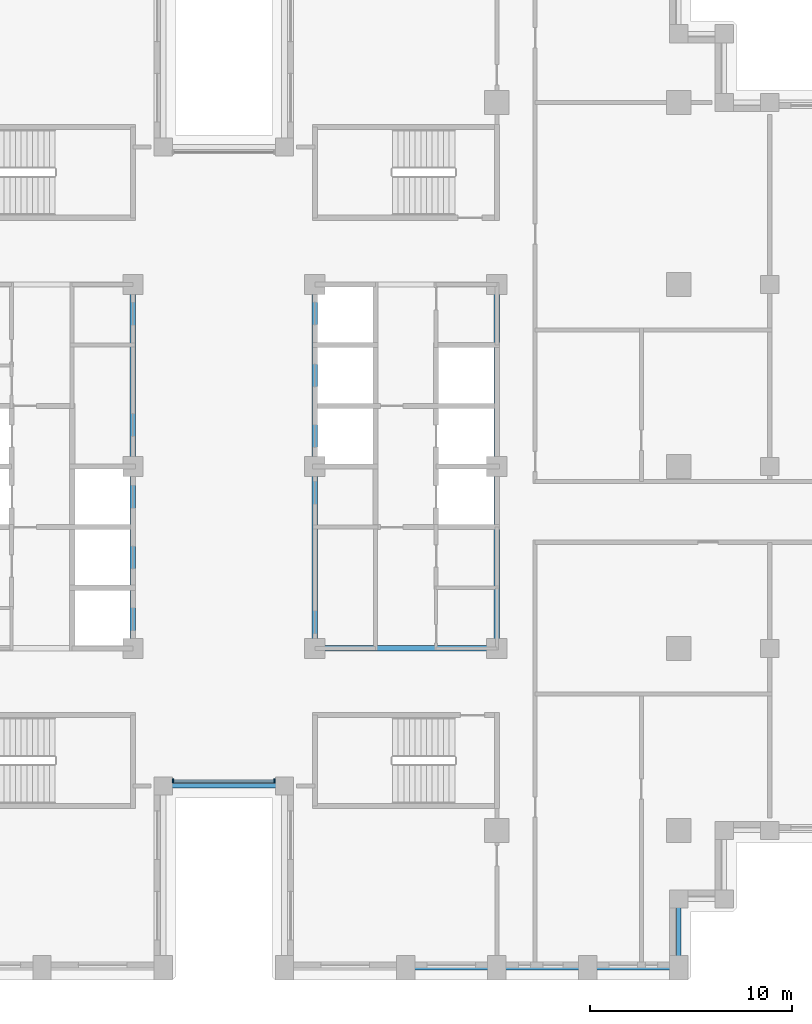
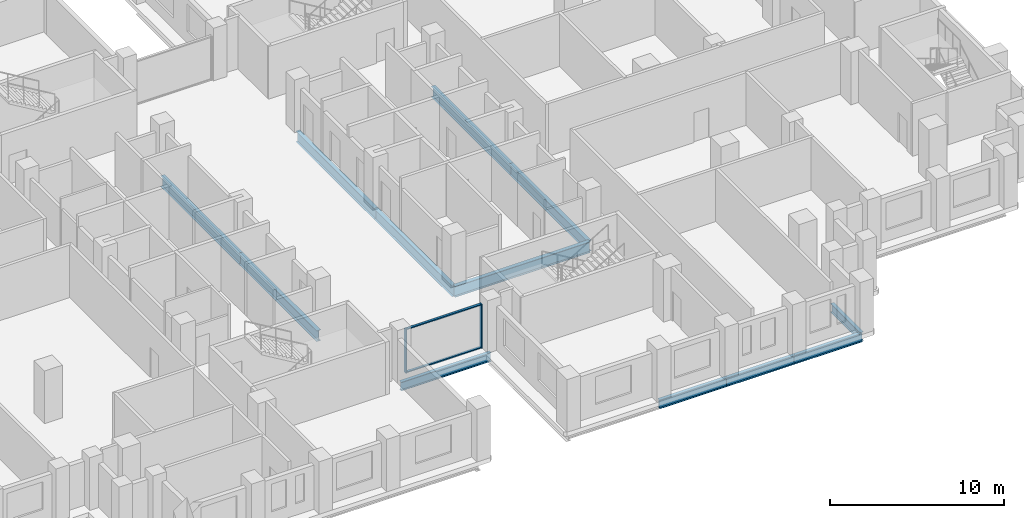
# One storey, part 2 of 16: 12 beams, 4 members, 1 element without a shape of its own.
"""IFC4 building model written with IfcOpenShell, lengths in metres."""

from ifc_helpers import new_model, si_unit, direction, frame, origin, origin_2d, place, context, subcontext, project, spatial, rectangle, i_section, extrude, material, layer, layer_set, material_profile, profile_set, type_object, element, aggregate, save


model = new_model("IFC4")

# Units and contexts
model_context = context("Model", 3, precision=1e-05, world=origin(), true_north=direction((0.0, 1.0)))
body_context = subcontext(model_context, "Body", "Model", "MODEL_VIEW")
ifc_project = project(units=[si_unit("LENGTHUNIT", "METRE"), si_unit("AREAUNIT", "SQUARE_METRE"), si_unit("VOLUMEUNIT", "CUBIC_METRE"), si_unit("PLANEANGLEUNIT", "RADIAN"), si_unit("MASSUNIT", "GRAM", prefix="KILO")], contexts=[model_context])

# Site, building, storey
site_placement = place(None, origin())
site = spatial("IfcSite", under=ifc_project, at=site_placement, CompositionType="ELEMENT")
building_placement = place(site_placement, origin())
building = spatial("IfcBuilding", under=site, at=building_placement, Name="Corbelhall Arena Tower", CompositionType="ELEMENT")
storey_placement = place(building_placement, frame((0.0, 0.0, 72.0)))
storey = spatial("IfcBuildingStorey", under=building, at=storey_placement, Name="L10", CompositionType="ELEMENT", Elevation=72.0)

# Curtain wall, members
ifc_material_1 = material(Name="Aluminium black anodised", Category="aluminium")
ifc_layer = layer(ifc_material_1, 0.199951171875)
ifc_layer_set = layer_set([ifc_layer], Name="EV-CW1 Slot back wall")
curtain_wall_type = type_object("IfcCurtainWallType", Name="EV-CW1 Slot back wall", PredefinedType="NOTDEFINED", material=ifc_layer_set)
curtain_wall_placement = place(storey_placement, origin())
curtain_wall = element("IfcCurtainWall", 1, at=curtain_wall_placement, inside=storey, type_object=curtain_wall_type, Name="Curtain wall CW1", PredefinedType="NOTDEFINED")
ifc_material_profile_1 = material_profile(ifc_material_1, rectangle(XDim=0.199951171875, YDim=0.074951171875, at=origin_2d()))
ifc_profile_set_1 = profile_set([ifc_material_profile_1], Name="Aluminium black anodised")
member_type_1 = type_object("IfcMemberType", Name="EV-CW1-MULLION", PredefinedType="MULLION", material=ifc_profile_set_1)
member_1_placement = place(storey_placement, frame((-2.512451171875, -15.550048828125, 0.0), z_axis=(0.0, 0.0, 1.0), x_axis=(0.0, 1.0, 0.0)))
member_1 = element("IfcMember", 2, at=member_1_placement, type_object=member_type_1, Name="CW1 mullion 1", PredefinedType="MULLION", context=body_context, shape_type="SweptSolid", body=[
    extrude(rectangle(XDim=0.199951171875, YDim=0.074951171875, at=origin_2d()), origin(), (0.0, 0.0, 1.0), 3.10009765625),
])
member_2_placement = place(storey_placement, frame((2.512451171875, -15.550048828125, 0.0), z_axis=(0.0, 0.0, 1.0), x_axis=(0.0, 1.0, 0.0)))
member_2 = element("IfcMember", 3, at=member_2_placement, type_object=member_type_1, Name="CW1 mullion 2", PredefinedType="MULLION", context=body_context, shape_type="SweptSolid", body=[
    extrude(rectangle(XDim=0.199951171875, YDim=0.074951171875, at=origin_2d()), origin(), (0.0, 0.0, 1.0), 3.10009765625),
])
ifc_material_profile_2 = material_profile(ifc_material_1, rectangle(XDim=0.14990234375, YDim=0.074951171875, at=origin_2d()))
ifc_profile_set_2 = profile_set([ifc_material_profile_2], Name="Aluminium black anodised")
member_type_2 = type_object("IfcMemberType", Name="EV-CW1-TRANSOM", PredefinedType="USERDEFINED", material=ifc_profile_set_2)
member_3_placement = place(storey_placement, frame((-2.47509765625, -15.550048828125, 0.03759765625), z_axis=(1.0, 0.0, 0.0), x_axis=(0.0, 1.0, 0.0)))
member_3 = element("IfcMember", 4, at=member_3_placement, type_object=member_type_2, Name="CW1 transom 1.1", ObjectType="transom", PredefinedType="USERDEFINED", context=body_context, shape_type="SweptSolid", body=[
    extrude(rectangle(XDim=0.14990234375, YDim=0.074951171875, at=origin_2d()), origin(), (0.0, 0.0, 1.0), 4.9501953125),
])
member_4_placement = place(storey_placement, frame((-2.47509765625, -15.550048828125, 3.0625), z_axis=(1.0, 0.0, 0.0), x_axis=(0.0, 1.0, 0.0)))
member_4 = element("IfcMember", 5, at=member_4_placement, type_object=member_type_2, Name="CW1 transom 1.2", ObjectType="transom", PredefinedType="USERDEFINED", context=body_context, shape_type="SweptSolid", body=[
    extrude(rectangle(XDim=0.14990234375, YDim=0.074951171875, at=origin_2d()), origin(), (0.0, 0.0, 1.0), 4.9501953125),
])
aggregate(curtain_wall, [member_1, member_2, member_3, member_4])

# Beams
ifc_material_2 = material(Name="Steel ASTM A992 Gr50", Category="steel")
ifc_material_profile_3 = material_profile(ifc_material_2, i_section(OverallWidth=0.2666015625, OverallDepth=0.761962890625, WebThickness=0.014404296875, FlangeThickness=0.021484375, at=origin_2d()))
ifc_profile_set_3 = profile_set([ifc_material_profile_3], Name="Steel ASTM A992 Gr50")
beam_type_1 = type_object("IfcBeamType", Name="ST-BEAM-W30x116", PredefinedType="BEAM", material=ifc_profile_set_3)
for number, where, z_axis, x_axis, name in (
    (6, (-4.5, -9.0, -0.680908203125), (0.0, 1.0, 0.0), (-1.0, 0.0, 0.0), "Beam CEW 3"),
    (7, (-4.5, 0.0, -0.680908203125), (0.0, 1.0, 0.0), (-1.0, 0.0, 0.0), "Beam CEW 4"),
    (8, (4.5, -9.0, -0.680908203125), (0.0, 1.0, 0.0), (-1.0, 0.0, 0.0), "Beam CEE 7"),
    (9, (4.5, 0.0, -0.680908203125), (0.0, 1.0, 0.0), (-1.0, 0.0, 0.0), "Beam CEE 8"),
    (10, (13.5, -9.0, -0.680908203125), (0.0, 1.0, 0.0), (-1.0, 0.0, 0.0), "Beam CEE 9"),
    (11, (13.5, 0.0, -0.680908203125), (0.0, 1.0, 0.0), (-1.0, 0.0, 0.0), "Beam CEE 10"),
    (12, (4.5, -9.0, -0.680908203125), (1.0, 0.0, 0.0), (0.0, 1.0, 0.0), "Beam CEE 11"),
):
    element("IfcBeam", number, at=place(storey_placement, frame(where, z_axis=z_axis, x_axis=x_axis)), inside=storey, type_object=beam_type_1, Name=name, PredefinedType="BEAM", context=body_context, shape_type="SweptSolid", body=[
        extrude(i_section(OverallWidth=0.2666015625, OverallDepth=0.761962890625, WebThickness=0.014404296875, FlangeThickness=0.021484375, at=origin_2d()), origin(), (0.0, 0.0, 1.0), 9.0),
    ])
ifc_material_profile_4 = material_profile(ifc_material_2, i_section(OverallWidth=0.23046875, OverallDepth=0.6171875, WebThickness=0.01318359375, FlangeThickness=0.022216796875, at=origin_2d()))
ifc_profile_set_4 = profile_set([ifc_material_profile_4], Name="Steel ASTM A992 Gr50")
beam_type_2 = type_object("IfcBeamType", Name="ST-SPANDREL-W24x94", PredefinedType="SPANDREL", material=ifc_profile_set_4)
for number, where, z_axis, x_axis, name in (
    (13, (13.5, -24.800048828125, -0.608642578125), (-1.0, 0.0, 0.0), (0.0, -1.0, 0.0), "Beam SP 29"),
    (14, (18.0, -24.800048828125, -0.608642578125), (-1.0, 0.0, 0.0), (0.0, -1.0, 0.0), "Beam SP 30"),
    (15, (22.5, -24.800048828125, -0.608642578125), (-1.0, 0.0, 0.0), (0.0, -1.0, 0.0), "Beam SP 31"),
):
    element("IfcBeam", number, at=place(storey_placement, frame(where, z_axis=z_axis, x_axis=x_axis)), inside=storey, type_object=beam_type_2, Name=name, PredefinedType="SPANDREL", context=body_context, shape_type="SweptSolid", body=[
        extrude(i_section(OverallWidth=0.23046875, OverallDepth=0.6171875, WebThickness=0.01318359375, FlangeThickness=0.022216796875, at=origin_2d()), origin(), (0.0, 0.0, 1.0), 4.5),
    ])
beam_1_placement = place(storey_placement, frame((3.0, -15.800048828125, -0.608642578125), z_axis=(-1.0, 0.0, 0.0), x_axis=(0.0, -1.0, 0.0)))
element("IfcBeam", 16, at=beam_1_placement, inside=storey, type_object=beam_type_2, Name="Beam SP 41", PredefinedType="SPANDREL", context=body_context, shape_type="SweptSolid", body=[
    extrude(i_section(OverallWidth=0.23046875, OverallDepth=0.6171875, WebThickness=0.01318359375, FlangeThickness=0.022216796875, at=origin_2d()), origin(), (0.0, 0.0, 1.0), 6.0),
])
beam_2_placement = place(storey_placement, frame((22.5, -21.39990234375, -0.608642578125), z_axis=(0.0, -1.0, 0.0), x_axis=(1.0, 0.0, 0.0)))
element("IfcBeam", 17, at=beam_2_placement, inside=storey, type_object=beam_type_2, Name="Beam SP 49", PredefinedType="SPANDREL", context=body_context, shape_type="SweptSolid", body=[
    extrude(i_section(OverallWidth=0.23046875, OverallDepth=0.6171875, WebThickness=0.01318359375, FlangeThickness=0.022216796875, at=origin_2d()), origin(), (0.0, 0.0, 1.0), 3.400146484375),
])

save(model, "model.ifc")
